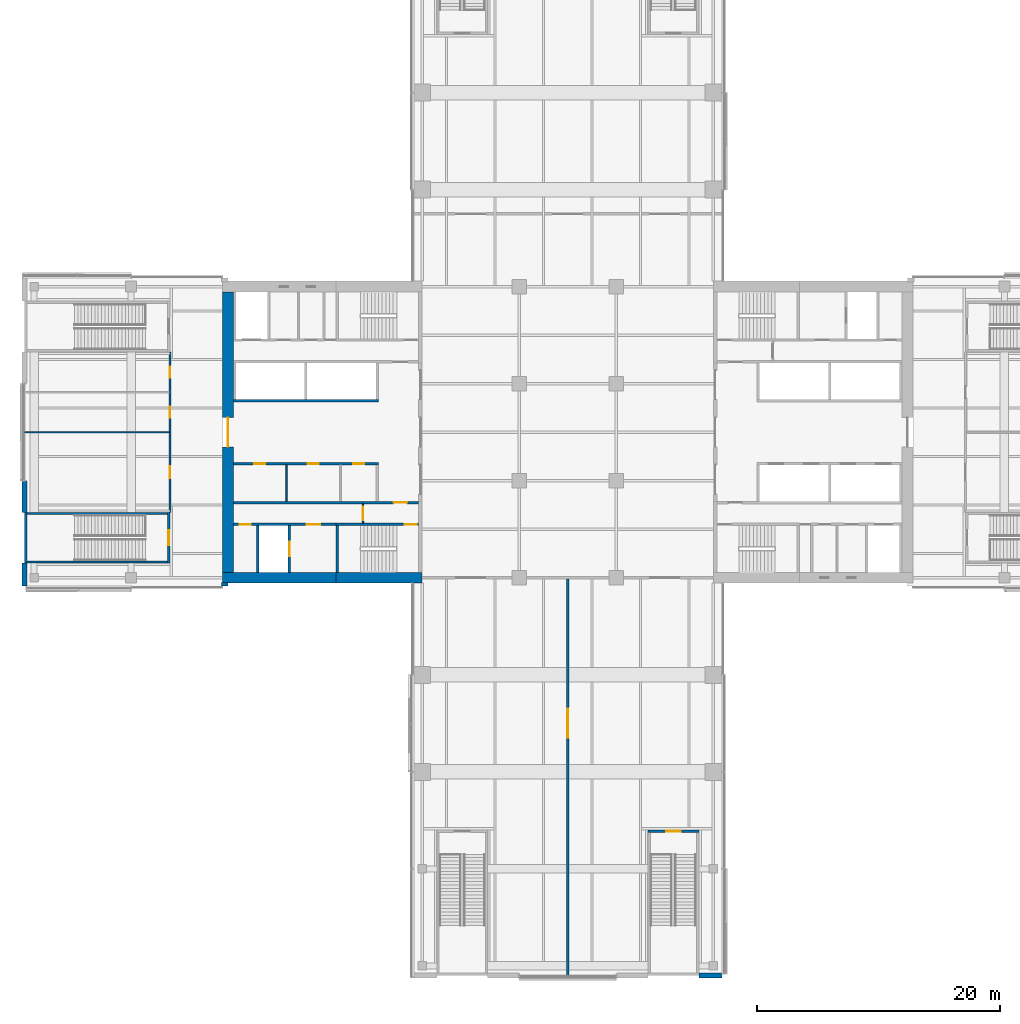
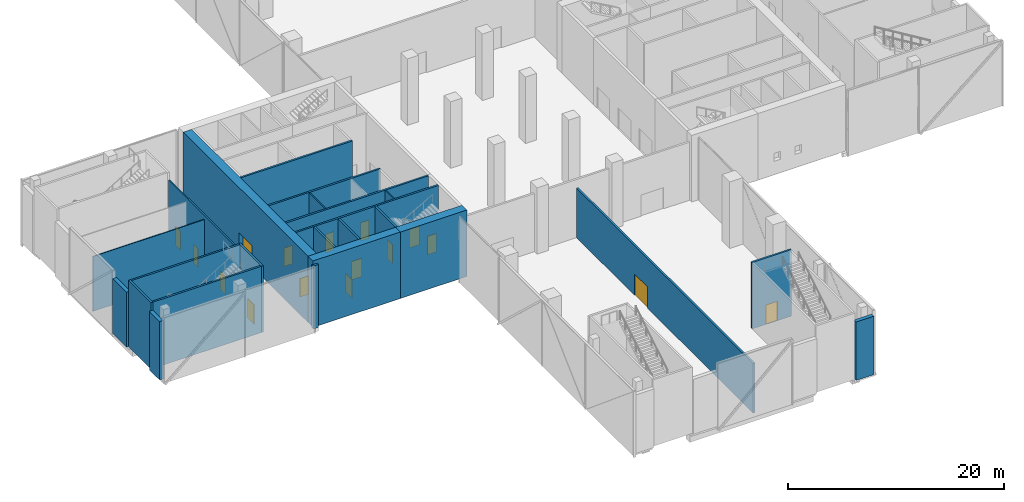
# One storey, part 14 of 25: 25 walls, 16 doors, 16 openings.
"""IFC4 building model written with IfcOpenShell, lengths in metres."""

from ifc_helpers import new_model, si_unit, direction, frame, frame_2d, origin, place, context, subcontext, project, spatial, rectangle, extrude, material, layer, layer_set, constituent, constituent_set, type_object, element, fill, save


model = new_model("IFC4")

# Units and contexts
model_context = context("Model", 3, precision=1e-05, world=origin(), true_north=direction((0.0, 1.0)))
body_context = subcontext(model_context, "Body", "Model", "MODEL_VIEW")
ifc_project = project(units=[si_unit("LENGTHUNIT", "METRE"), si_unit("AREAUNIT", "SQUARE_METRE"), si_unit("VOLUMEUNIT", "CUBIC_METRE"), si_unit("PLANEANGLEUNIT", "RADIAN"), si_unit("MASSUNIT", "GRAM", prefix="KILO")], contexts=[model_context])

# Site, building, storey
site_placement = place(None, origin())
site = spatial("IfcSite", under=ifc_project, at=site_placement, CompositionType="ELEMENT")
building_placement = place(site_placement, origin())
building = spatial("IfcBuilding", under=site, at=building_placement, Name="Crosswind Convention Tower", CompositionType="ELEMENT")
storey_placement = place(building_placement, frame((0.0, 0.0, 34.0)))
storey = spatial("IfcBuildingStorey", under=building, at=storey_placement, Name="L04", CompositionType="ELEMENT", Elevation=34.0)

# Wall, openings, doors
ifc_material_1 = material(Name="Plasterboard partition", Category="gypsum")
ifc_layer_1 = layer(ifc_material_1, 0.14990234375)
ifc_layer_set_1 = layer_set([ifc_layer_1], Name="CORRIDOR WALL 150")
wall_type_1 = type_object("IfcWallType", Name="CORRIDOR WALL 150", PredefinedType="PARTITIONING", material=ifc_layer_set_1)
wall_1_placement = place(storey_placement, frame((92.199951171875, 93.39990234375, 0.0), z_axis=(0.0, 0.0, 1.0), x_axis=(0.0, 1.0, 0.0)))
wall_1 = element("IfcWall", 1, at=wall_1_placement, inside=storey, type_object=wall_type_1, Name="Corridor Wall 29", PredefinedType="PARTITIONING", context=body_context, shape_type="SweptSolid", body=[
    extrude(rectangle(XDim=13.2001953125, YDim=0.14990234375, at=frame_2d((6.60009765625, 0.0))), origin(), (0.0, 0.0, 1.0), 6.636474609375),
])
opening_1_placement = place(wall_1_placement, frame((2.800048828125, 0.0, 0.0)))
opening_1 = element("IfcOpeningElement", 2, at=opening_1_placement, cuts=wall_1, Name="Opening 04.010", PredefinedType="OPENING", context=body_context, shape_type="SweptSolid", body=[
    extrude(rectangle(XDim=1.0, YDim=2.10009765625, at=frame_2d((0.5, 1.050048828125))), frame((0.0, 0.0849609375, 0.0), z_axis=(0.0, -1.0, 0.0), x_axis=(1.0, 0.0, 0.0)), (0.0, 0.0, 1.0), 0.169921875),
])
opening_2_placement = place(wall_1_placement, frame((7.800048828125, 0.0, 0.0)))
opening_2 = element("IfcOpeningElement", 3, at=opening_2_placement, cuts=wall_1, Name="Opening 04.011", PredefinedType="OPENING", context=body_context, shape_type="SweptSolid", body=[
    extrude(rectangle(XDim=0.89990234375, YDim=2.10009765625, at=frame_2d((0.449951171875, 1.050048828125))), frame((0.0, 0.0849609375, 0.0), z_axis=(0.0, -1.0, 0.0), x_axis=(1.0, 0.0, 0.0)), (0.0, 0.0, 1.0), 0.169921875),
])
opening_3_placement = place(wall_1_placement, frame((11.10009765625, 0.0, 0.0)))
opening_3 = element("IfcOpeningElement", 4, at=opening_3_placement, cuts=wall_1, Name="Opening 04.012", PredefinedType="OPENING", context=body_context, shape_type="SweptSolid", body=[
    extrude(rectangle(XDim=0.89990234375, YDim=2.10009765625, at=frame_2d((0.449951171875, 1.050048828125))), frame((0.0, 0.0849609375, 0.0), z_axis=(0.0, -1.0, 0.0), x_axis=(1.0, 0.0, 0.0)), (0.0, 0.0, 1.0), 0.169921875),
])
ifc_material_2 = material(Name="Timber fire door", Category="wood")
door_type_1 = type_object("IfcDoorType", Name="SERVICE ROOM DOOR 1000X2100", OperationType="NOTDEFINED", PredefinedType="DOOR", material=ifc_material_2)
door_1_placement = place(opening_1_placement, origin())
door_1 = element("IfcDoor", 5, at=door_1_placement, inside=storey, type_object=door_type_1, Name="Door 04.010", ObjectType="D3", OperationType="SINGLE_SWING_RIGHT", OverallHeight=2.10009765625, OverallWidth=1.0, PredefinedType="DOOR", context=body_context, shape_type="SweptSolid", body=[
    extrude(rectangle(XDim=1.0, YDim=2.10009765625, at=frame_2d((0.5, 1.050048828125))), frame((0.0, 0.02490234375, 0.0), z_axis=(0.0, -1.0, 0.0), x_axis=(1.0, 0.0, 0.0)), (0.0, 0.0, 1.0), 0.050048828125),
])
fill(opening_1, door_1)
ifc_material_3 = material(Name="Timber door", Category="wood")
door_type_2 = type_object("IfcDoorType", Name="WC DOOR 900X2100", OperationType="NOTDEFINED", PredefinedType="DOOR", material=ifc_material_3)
door_2_placement = place(opening_2_placement, origin())
door_2 = element("IfcDoor", 6, at=door_2_placement, inside=storey, type_object=door_type_2, Name="Door 04.011", ObjectType="D7", OperationType="SINGLE_SWING_RIGHT", OverallHeight=2.10009765625, OverallWidth=0.89990234375, PredefinedType="DOOR", context=body_context, shape_type="SweptSolid", body=[
    extrude(rectangle(XDim=0.89990234375, YDim=2.10009765625, at=frame_2d((0.449951171875, 1.050048828125))), frame((0.0, 0.02490234375, 0.0), z_axis=(0.0, -1.0, 0.0), x_axis=(1.0, 0.0, 0.0)), (0.0, 0.0, 1.0), 0.050048828125),
])
fill(opening_2, door_2)
door_3_placement = place(opening_3_placement, origin())
door_3 = element("IfcDoor", 7, at=door_3_placement, inside=storey, type_object=door_type_2, Name="Door 04.012", ObjectType="D7", OperationType="SINGLE_SWING_RIGHT", OverallHeight=2.10009765625, OverallWidth=0.89990234375, PredefinedType="DOOR", context=body_context, shape_type="SweptSolid", body=[
    extrude(rectangle(XDim=0.89990234375, YDim=2.10009765625, at=frame_2d((0.449951171875, 1.050048828125))), frame((0.0, 0.02490234375, 0.0), z_axis=(0.0, -1.0, 0.0), x_axis=(1.0, 0.0, 0.0)), (0.0, 0.0, 1.0), 0.050048828125),
])
fill(opening_3, door_3)

# Wall, opening, door
ifc_material_4 = material(Name="Concrete C60/75", Category="concrete")
ifc_layer_2 = layer(ifc_material_4, 0.89990234375)
ifc_layer_set_2 = layer_set([ifc_layer_2], Name="Concrete C60/75")
wall_type_2 = type_object("IfcWallType", Name="Concrete core wall 900", PredefinedType="SHEAR", material=ifc_layer_set_2)
wall_2_placement = place(storey_placement, frame((97.0, 111.550048828125, 0.0), z_axis=(0.0, 0.0, 1.0), x_axis=(0.0, -1.0, 0.0)))
wall_2 = element("IfcWall", 8, at=wall_2_placement, inside=storey, type_object=wall_type_2, Name="Wall O W L04", PredefinedType="SHEAR", context=body_context, shape_type="SweptSolid", body=[
    extrude(rectangle(XDim=23.10009765625, YDim=0.89990234375, at=frame_2d((11.550048828125, 0.0))), origin(), (0.0, 0.0, 1.0), 7.5),
])
opening_4_placement = place(wall_2_placement, frame((10.35009765625, 0.0, 0.0)))
opening_4 = element("IfcOpeningElement", 9, at=opening_4_placement, cuts=wall_2, Name="Opening D100", PredefinedType="OPENING", context=body_context, shape_type="SweptSolid", body=[
    extrude(rectangle(XDim=2.39990234375, YDim=2.39990234375, at=frame_2d((1.199951171875, 1.199951171875))), frame((0.0, 0.4599609375, 0.0), z_axis=(0.0, -1.0, 0.0), x_axis=(1.0, 0.0, 0.0)), (0.0, 0.0, 1.0), 0.919921875),
])
ifc_material_5 = material(Name="Steel fire door with glazed vision panels", Category="steel")
door_type_3 = type_object("IfcDoorType", Name="Fire-rated double door 2400x2400", OperationType="DOUBLE_DOOR_SINGLE_SWING", PredefinedType="DOOR", material=ifc_material_5)
door_4_placement = place(opening_4_placement, frame((2.39990234375, 0.0, 0.0), z_axis=(0.0, 0.0, 1.0), x_axis=(-1.0, 0.0, 0.0)))
door_4 = element("IfcDoor", 10, at=door_4_placement, inside=storey, type_object=door_type_3, Name="Lobby outer door L04", ObjectType="D100", OperationType="DOUBLE_DOOR_SINGLE_SWING", OverallHeight=2.39990234375, OverallWidth=2.39990234375, PredefinedType="DOOR", context=body_context, shape_type="SweptSolid", body=[
    extrude(rectangle(XDim=2.39990234375, YDim=2.39990234375, at=frame_2d((1.199951171875, 1.199951171875))), frame((0.0, 0.02490234375, 0.0), z_axis=(0.0, -1.0, 0.0), x_axis=(1.0, 0.0, 0.0)), (0.0, 0.0, 1.0), 0.050048828125),
])
fill(opening_4, door_4)

# Wall, openings, doors
ifc_material_6 = material(Name="Concrete C50/60", Category="concrete")
ifc_layer_3 = layer(ifc_material_6, 0.199951171875)
ifc_layer_set_3 = layer_set([ifc_layer_3], Name="Concrete C50/60")
wall_type_3 = type_object("IfcWallType", Name="Concrete shaft and stair wall 200", PredefinedType="SHEAR", material=ifc_layer_set_3)
wall_3_placement = place(storey_placement, frame((109.39990234375, 97.39990234375, 0.0), z_axis=(0.0, 0.0, 1.0), x_axis=(-1.0, 0.0, 0.0)))
wall_3 = element("IfcWall", 11, at=wall_3_placement, inside=storey, type_object=wall_type_3, Name="Wall RPFRONT W L04", PredefinedType="SHEAR", context=body_context, shape_type="SweptSolid", body=[
    extrude(rectangle(XDim=11.949951171875, YDim=0.199951171875, at=frame_2d((5.97509765625, 0.0))), origin(), (0.0, 0.0, 1.0), 7.5),
])
opening_5_placement = place(wall_3_placement, frame((1.1875, 0.0, 0.0)))
opening_5 = element("IfcOpeningElement", 12, at=opening_5_placement, cuts=wall_3, Name="Opening D106", PredefinedType="OPENING", context=body_context, shape_type="SweptSolid", body=[
    extrude(rectangle(XDim=0.89990234375, YDim=2.10009765625, at=frame_2d((0.449951171875, 1.050048828125))), frame((0.0, 0.10986328125, 0.0), z_axis=(0.0, -1.0, 0.0), x_axis=(1.0, 0.0, 0.0)), (0.0, 0.0, 1.0), 0.219970703125),
])
opening_6_placement = place(wall_3_placement, frame((4.919921875, 0.0, 0.0)))
opening_6 = element("IfcOpeningElement", 13, at=opening_6_placement, cuts=wall_3, Name="Opening D106", PredefinedType="OPENING", context=body_context, shape_type="SweptSolid", body=[
    extrude(rectangle(XDim=0.89990234375, YDim=2.10009765625, at=frame_2d((0.449951171875, 1.050048828125))), frame((0.0, 0.10986328125, 0.0), z_axis=(0.0, -1.0, 0.0), x_axis=(1.0, 0.0, 0.0)), (0.0, 0.0, 1.0), 0.219970703125),
])
opening_7_placement = place(wall_3_placement, frame((9.357421875, 0.0, 0.0)))
opening_7 = element("IfcOpeningElement", 14, at=opening_7_placement, cuts=wall_3, Name="Opening D106", PredefinedType="OPENING", context=body_context, shape_type="SweptSolid", body=[
    extrude(rectangle(XDim=0.89990234375, YDim=2.10009765625, at=frame_2d((0.449951171875, 1.050048828125))), frame((0.0, 0.10986328125, 0.0), z_axis=(0.0, -1.0, 0.0), x_axis=(1.0, 0.0, 0.0)), (0.0, 0.0, 1.0), 0.219970703125),
])
door_type_4 = type_object("IfcDoorType", Name="Single leaf door 900x2100", OperationType="NOTDEFINED", PredefinedType="DOOR", material=ifc_material_3)
door_5_placement = place(opening_5_placement, origin())
door_5 = element("IfcDoor", 15, at=door_5_placement, inside=storey, type_object=door_type_4, Name="Door to cloakroom L04", ObjectType="D106", OperationType="SINGLE_SWING_RIGHT", OverallHeight=2.10009765625, OverallWidth=0.89990234375, PredefinedType="DOOR", context=body_context, shape_type="SweptSolid", body=[
    extrude(rectangle(XDim=0.89990234375, YDim=2.10009765625, at=frame_2d((0.449951171875, 1.050048828125))), frame((0.0, 0.02490234375, 0.0), z_axis=(0.0, -1.0, 0.0), x_axis=(1.0, 0.0, 0.0)), (0.0, 0.0, 1.0), 0.050048828125),
])
fill(opening_5, door_5)
door_6_placement = place(opening_6_placement, origin())
door_6 = element("IfcDoor", 16, at=door_6_placement, inside=storey, type_object=door_type_4, Name="Door to press room L04", ObjectType="D106", OperationType="SINGLE_SWING_RIGHT", OverallHeight=2.10009765625, OverallWidth=0.89990234375, PredefinedType="DOOR", context=body_context, shape_type="SweptSolid", body=[
    extrude(rectangle(XDim=0.89990234375, YDim=2.10009765625, at=frame_2d((0.449951171875, 1.050048828125))), frame((0.0, 0.02490234375, 0.0), z_axis=(0.0, -1.0, 0.0), x_axis=(1.0, 0.0, 0.0)), (0.0, 0.0, 1.0), 0.050048828125),
])
fill(opening_6, door_6)
door_7_placement = place(opening_7_placement, origin())
door_7 = element("IfcDoor", 17, at=door_7_placement, inside=storey, type_object=door_type_4, Name="Door to green room L04", ObjectType="D106", OperationType="SINGLE_SWING_RIGHT", OverallHeight=2.10009765625, OverallWidth=0.89990234375, PredefinedType="DOOR", context=body_context, shape_type="SweptSolid", body=[
    extrude(rectangle(XDim=0.89990234375, YDim=2.10009765625, at=frame_2d((0.449951171875, 1.050048828125))), frame((0.0, 0.02490234375, 0.0), z_axis=(0.0, -1.0, 0.0), x_axis=(1.0, 0.0, 0.0)), (0.0, 0.0, 1.0), 0.050048828125),
])
fill(opening_7, door_7)

# Wall
wall_4_placement = place(storey_placement, frame((109.39990234375, 102.60009765625, 0.0), z_axis=(0.0, 0.0, 1.0), x_axis=(-1.0, 0.0, 0.0)))
element("IfcWall", 18, at=wall_4_placement, inside=storey, type_object=wall_type_3, Name="Wall RMFRONT W L04", PredefinedType="SHEAR", context=body_context, shape_type="SweptSolid", body=[
    extrude(rectangle(XDim=11.949951171875, YDim=0.199951171875, at=frame_2d((5.97509765625, 0.0))), origin(), (0.0, 0.0, 1.0), 7.5),
])

# Wall, opening, door
wall_5_placement = place(storey_placement, frame((112.699951171875, 94.199951171875, 0.0), z_axis=(0.0, 0.0, 1.0), x_axis=(-1.0, 0.0, 0.0)))
wall_5 = element("IfcWall", 19, at=wall_5_placement, inside=storey, type_object=wall_type_3, Name="Wall HP W L04", PredefinedType="SHEAR", context=body_context, shape_type="SweptSolid", body=[
    extrude(rectangle(XDim=15.25, YDim=0.199951171875, at=frame_2d((7.625, 0.0))), origin(), (0.0, 0.0, 1.0), 7.5),
])
opening_8_placement = place(wall_5_placement, frame((0.949951171875, 0.0, 0.0)))
opening_8 = element("IfcOpeningElement", 20, at=opening_8_placement, cuts=wall_5, Name="Opening D104", PredefinedType="OPENING", context=body_context, shape_type="SweptSolid", body=[
    extrude(rectangle(XDim=1.10009765625, YDim=2.10009765625, at=frame_2d((0.550048828125, 1.050048828125))), frame((0.0, 0.10986328125, 0.0), z_axis=(0.0, -1.0, 0.0), x_axis=(1.0, 0.0, 0.0)), (0.0, 0.0, 1.0), 0.219970703125),
])
ifc_material_7 = material(Name="Steel fire door", Category="steel")
door_type_5 = type_object("IfcDoorType", Name="Fire-rated single door 1100x2100", OperationType="NOTDEFINED", PredefinedType="DOOR", material=ifc_material_7)
door_8_placement = place(opening_8_placement, frame((1.10009765625, 0.0, 0.0), z_axis=(0.0, 0.0, 1.0), x_axis=(-1.0, 0.0, 0.0)))
door_8 = element("IfcDoor", 21, at=door_8_placement, inside=storey, type_object=door_type_5, Name="Corridor door L04", ObjectType="D104", OperationType="SINGLE_SWING_RIGHT", OverallHeight=2.10009765625, OverallWidth=1.10009765625, PredefinedType="DOOR", context=body_context, shape_type="SweptSolid", body=[
    extrude(rectangle(XDim=1.10009765625, YDim=2.10009765625, at=frame_2d((0.550048828125, 1.050048828125))), frame((0.0, 0.02490234375, 0.0), z_axis=(0.0, -1.0, 0.0), x_axis=(1.0, 0.0, 0.0)), (0.0, 0.0, 1.0), 0.050048828125),
])
fill(opening_8, door_8)

# Wall
wall_6_placement = place(storey_placement, frame((106.0, 92.300048828125, 0.0), z_axis=(0.0, 0.0, 1.0), x_axis=(0.0, -1.0, 0.0)))
element("IfcWall", 22, at=wall_6_placement, inside=storey, type_object=wall_type_3, Name="Wall PSE W L04", PredefinedType="SHEAR", context=body_context, shape_type="SweptSolid", body=[
    extrude(rectangle(XDim=3.85009765625, YDim=0.199951171875, at=frame_2d((1.925048828125, 0.0))), origin(), (0.0, 0.0, 1.0), 7.5),
])

# Wall, opening, door
wall_7_placement = place(storey_placement, frame((102.050048828125, 92.300048828125, 0.0), z_axis=(0.0, 0.0, 1.0), x_axis=(0.0, -1.0, 0.0)))
wall_7 = element("IfcWall", 23, at=wall_7_placement, inside=storey, type_object=wall_type_3, Name="Wall PFLW W L04", PredefinedType="SHEAR", context=body_context, shape_type="SweptSolid", body=[
    extrude(rectangle(XDim=3.85009765625, YDim=0.199951171875, at=frame_2d((1.925048828125, 0.0))), origin(), (0.0, 0.0, 1.0), 7.5),
])
opening_9_placement = place(wall_7_placement, frame((1.324951171875, 0.0, 0.0)))
opening_9 = element("IfcOpeningElement", 24, at=opening_9_placement, cuts=wall_7, Name="Opening LD1", PredefinedType="OPENING", context=body_context, shape_type="SweptSolid", body=[
    extrude(rectangle(XDim=1.199951171875, YDim=2.10009765625, at=frame_2d((0.60009765625, 1.050048828125))), frame((0.0, 0.10986328125, 0.0), z_axis=(0.0, -1.0, 0.0), x_axis=(1.0, 0.0, 0.0)), (0.0, 0.0, 1.0), 0.219970703125),
])
ifc_material_8 = material(Name="Stainless steel", Category="steel")
door_type_6 = type_object("IfcDoorType", Name="Lift landing door 1200x2100", OperationType="DOUBLE_DOOR_SLIDING", PredefinedType="DOOR", material=ifc_material_8)
door_9_placement = place(opening_9_placement, origin())
door_9 = element("IfcDoor", 25, at=door_9_placement, inside=storey, type_object=door_type_6, Name="Landing door FF2 L04", ObjectType="LD1", OperationType="DOUBLE_DOOR_SLIDING", OverallHeight=2.10009765625, OverallWidth=1.199951171875, PredefinedType="DOOR", context=body_context, shape_type="SweptSolid", body=[
    extrude(rectangle(XDim=1.199951171875, YDim=2.10009765625, at=frame_2d((0.60009765625, 1.050048828125))), frame((0.0, 0.02490234375, 0.0), z_axis=(0.0, -1.0, 0.0), x_axis=(1.0, 0.0, 0.0)), (0.0, 0.0, 1.0), 0.050048828125),
])
fill(opening_9, door_9)

# Wall
wall_8_placement = place(storey_placement, frame((99.449951171875, 92.300048828125, 0.0), z_axis=(0.0, 0.0, 1.0), x_axis=(0.0, -1.0, 0.0)))
element("IfcWall", 26, at=wall_8_placement, inside=storey, type_object=wall_type_3, Name="Wall PFSE W L04", PredefinedType="SHEAR", context=body_context, shape_type="SweptSolid", body=[
    extrude(rectangle(XDim=3.85009765625, YDim=0.199951171875, at=frame_2d((1.925048828125, 0.0))), origin(), (0.0, 0.0, 1.0), 7.5),
])

# Wall, opening, door
wall_9_placement = place(storey_placement, frame((112.699951171875, 92.39990234375, 0.0), z_axis=(0.0, 0.0, 1.0), x_axis=(-1.0, 0.0, 0.0)))
wall_9 = element("IfcWall", 27, at=wall_9_placement, inside=storey, type_object=wall_type_3, Name="Wall PCW W L04", PredefinedType="SHEAR", context=body_context, shape_type="SweptSolid", body=[
    extrude(rectangle(XDim=6.800048828125, YDim=0.199951171875, at=frame_2d((3.39990234375, 0.0))), origin(), (0.0, 0.0, 1.0), 7.5),
])
opening_10_placement = place(wall_9_placement, frame((0.14990234375, 0.0, 0.0)))
opening_10 = element("IfcOpeningElement", 28, at=opening_10_placement, cuts=wall_9, Name="Opening D103", PredefinedType="OPENING", context=body_context, shape_type="SweptSolid", body=[
    extrude(rectangle(XDim=1.0, YDim=2.10009765625, at=frame_2d((0.5, 1.050048828125))), frame((0.0, 0.10986328125, 0.0), z_axis=(0.0, -1.0, 0.0), x_axis=(1.0, 0.0, 0.0)), (0.0, 0.0, 1.0), 0.219970703125),
])
door_type_7 = type_object("IfcDoorType", Name="Fire-rated single door 1000x2100", OperationType="NOTDEFINED", PredefinedType="DOOR", material=ifc_material_7)
door_10_placement = place(opening_10_placement, origin())
door_10 = element("IfcDoor", 29, at=door_10_placement, inside=storey, type_object=door_type_7, Name="Stair ST3 door L04", ObjectType="D103", OperationType="SINGLE_SWING_LEFT", OverallHeight=2.10009765625, OverallWidth=1.0, PredefinedType="DOOR", context=body_context, shape_type="SweptSolid", body=[
    extrude(rectangle(XDim=1.0, YDim=2.10009765625, at=frame_2d((0.5, 1.050048828125))), frame((0.0, 0.02490234375, 0.0), z_axis=(0.0, -1.0, 0.0), x_axis=(1.0, 0.0, 0.0)), (0.0, 0.0, 1.0), 0.050048828125),
])
fill(opening_10, door_10)

# Wall, openings, doors
wall_10_placement = place(storey_placement, frame((105.89990234375, 92.39990234375, 0.0), z_axis=(0.0, 0.0, 1.0), x_axis=(-1.0, 0.0, 0.0)))
wall_10 = element("IfcWall", 30, at=wall_10_placement, inside=storey, type_object=wall_type_3, Name="Wall PCX W L04", PredefinedType="SHEAR", context=body_context, shape_type="SweptSolid", body=[
    extrude(rectangle(XDim=8.449951171875, YDim=0.199951171875, at=frame_2d((4.22509765625, 0.0))), origin(), (0.0, 0.0, 1.0), 7.5),
])
opening_11_placement = place(wall_10_placement, frame((1.324951171875, 0.0, 0.0)))
opening_11 = element("IfcOpeningElement", 31, at=opening_11_placement, cuts=wall_10, Name="Opening D104", PredefinedType="OPENING", context=body_context, shape_type="SweptSolid", body=[
    extrude(rectangle(XDim=1.10009765625, YDim=2.10009765625, at=frame_2d((0.550048828125, 1.050048828125))), frame((0.0, 0.10986328125, 0.0), z_axis=(0.0, -1.0, 0.0), x_axis=(1.0, 0.0, 0.0)), (0.0, 0.0, 1.0), 0.219970703125),
])
opening_12_placement = place(wall_10_placement, frame((7.050048828125, 0.0, 0.0)))
opening_12 = element("IfcOpeningElement", 32, at=opening_12_placement, cuts=wall_10, Name="Opening D106", PredefinedType="OPENING", context=body_context, shape_type="SweptSolid", body=[
    extrude(rectangle(XDim=0.89990234375, YDim=2.10009765625, at=frame_2d((0.449951171875, 1.050048828125))), frame((0.0, 0.10986328125, 0.0), z_axis=(0.0, -1.0, 0.0), x_axis=(1.0, 0.0, 0.0)), (0.0, 0.0, 1.0), 0.219970703125),
])
door_11_placement = place(opening_11_placement, frame((1.10009765625, 0.0, 0.0), z_axis=(0.0, 0.0, 1.0), x_axis=(-1.0, 0.0, 0.0)))
door_11 = element("IfcDoor", 33, at=door_11_placement, inside=storey, type_object=door_type_5, Name="Fire-fighting lobby FF2 door L04", ObjectType="D104", OperationType="SINGLE_SWING_RIGHT", OverallHeight=2.10009765625, OverallWidth=1.10009765625, PredefinedType="DOOR", context=body_context, shape_type="SweptSolid", body=[
    extrude(rectangle(XDim=1.10009765625, YDim=2.10009765625, at=frame_2d((0.550048828125, 1.050048828125))), frame((0.0, 0.02490234375, 0.0), z_axis=(0.0, -1.0, 0.0), x_axis=(1.0, 0.0, 0.0)), (0.0, 0.0, 1.0), 0.050048828125),
])
fill(opening_11, door_11)
door_12_placement = place(opening_12_placement, origin())
door_12 = element("IfcDoor", 34, at=door_12_placement, inside=storey, type_object=door_type_4, Name="Door to cleaners' store L04", ObjectType="D106", OperationType="SINGLE_SWING_RIGHT", OverallHeight=2.10009765625, OverallWidth=0.89990234375, PredefinedType="DOOR", context=body_context, shape_type="SweptSolid", body=[
    extrude(rectangle(XDim=0.89990234375, YDim=2.10009765625, at=frame_2d((0.449951171875, 1.050048828125))), frame((0.0, 0.02490234375, 0.0), z_axis=(0.0, -1.0, 0.0), x_axis=(1.0, 0.0, 0.0)), (0.0, 0.0, 1.0), 0.050048828125),
])
fill(opening_12, door_12)

# Wall
ifc_material_9 = material(Name="Gypsum plasterboard partition", Category="gypsum")
ifc_layer_4 = layer(ifc_material_9, 0.125)
ifc_layer_set_4 = layer_set([ifc_layer_4], Name="Drywall partition wall 125")
wall_type_4 = type_object("IfcWallType", Name="Drywall partition wall 125", PredefinedType="PARTITIONING", material=ifc_layer_set_4)
wall_11_placement = place(storey_placement, frame((101.797607421875, 97.300048828125, 0.0), z_axis=(0.0, 0.0, 1.0), x_axis=(0.0, -1.0, 0.0)))
element("IfcWall", 35, at=wall_11_placement, inside=storey, type_object=wall_type_4, Name="Wall RPP2 W L04", PredefinedType="PARTITIONING", context=body_context, shape_type="SweptSolid", body=[
    extrude(rectangle(XDim=3.0, YDim=0.125, at=frame_2d((1.5, 0.0))), origin(), (0.0, 0.0, 1.0), 7.5),
])

# Wall, opening, door
wall_12_placement = place(storey_placement, frame((108.10009765625, 94.10009765625, 0.0), z_axis=(0.0, 0.0, 1.0), x_axis=(0.0, -1.0, 0.0)))
wall_12 = element("IfcWall", 36, at=wall_12_placement, inside=storey, type_object=wall_type_4, Name="Wall PXC1 W L04", PredefinedType="PARTITIONING", context=body_context, shape_type="SweptSolid", body=[
    extrude(rectangle(XDim=1.60009765625, YDim=0.125, at=frame_2d((0.800048828125, 0.0))), origin(), (0.0, 0.0, 1.0), 7.5),
])
opening_13_placement = place(wall_12_placement, frame((0.25, 0.0, 0.0)))
opening_13 = element("IfcOpeningElement", 37, at=opening_13_placement, cuts=wall_12, Name="Opening D104", PredefinedType="OPENING", context=body_context, shape_type="SweptSolid", body=[
    extrude(rectangle(XDim=1.10009765625, YDim=2.10009765625, at=frame_2d((0.550048828125, 1.050048828125))), frame((0.0, 0.072509765625, 0.0), z_axis=(0.0, -1.0, 0.0), x_axis=(1.0, 0.0, 0.0)), (0.0, 0.0, 1.0), 0.14501953125),
])
door_13_placement = place(opening_13_placement, frame((1.10009765625, 0.0, 0.0), z_axis=(0.0, 0.0, 1.0), x_axis=(-1.0, 0.0, 0.0)))
door_13 = element("IfcDoor", 38, at=door_13_placement, inside=storey, type_object=door_type_5, Name="Corridor smoke door L04", ObjectType="D104", OperationType="SINGLE_SWING_LEFT", OverallHeight=2.10009765625, OverallWidth=1.10009765625, PredefinedType="DOOR", context=body_context, shape_type="SweptSolid", body=[
    extrude(rectangle(XDim=1.10009765625, YDim=2.10009765625, at=frame_2d((0.550048828125, 1.050048828125))), frame((0.0, 0.02490234375, 0.0), z_axis=(0.0, -1.0, 0.0), x_axis=(1.0, 0.0, 0.0)), (0.0, 0.0, 1.0), 0.050048828125),
])
fill(opening_13, door_13)

ifc_material_10 = material(Name="Double plasterboard partition", Category="gypsum")
ifc_layer_5 = layer(ifc_material_10, 0.199951171875)
ifc_layer_set_5 = layer_set([ifc_layer_5], Name="HALL WALL 200")
wall_type_5 = type_object("IfcWallType", Name="HALL WALL 200", PredefinedType="PARTITIONING", material=ifc_layer_set_5)
wall_13_placement = place(storey_placement, frame((125.0, 55.199951171875, 0.0), z_axis=(0.0, 0.0, 1.0), x_axis=(0.0, 1.0, 0.0)))
wall_13 = element("IfcWall", 39, at=wall_13_placement, inside=storey, type_object=wall_type_5, Name="Hall Wall 34", PredefinedType="PARTITIONING", context=body_context, shape_type="SweptSolid", body=[
    extrude(rectangle(XDim=32.699951171875, YDim=0.199951171875, at=frame_2d((16.35009765625, 0.0))), origin(), (0.0, 0.0, 1.0), 5.60009765625),
])
opening_14_placement = place(wall_13_placement, frame((19.60009765625, 0.0, 0.0)))
opening_14 = element("IfcOpeningElement", 40, at=opening_14_placement, cuts=wall_13, Name="Opening 04.007", PredefinedType="OPENING", context=body_context, shape_type="SweptSolid", body=[
    extrude(rectangle(XDim=2.39990234375, YDim=2.39990234375, at=frame_2d((1.199951171875, 1.199951171875))), frame((0.0, 0.10986328125, 0.0), z_axis=(0.0, -1.0, 0.0), x_axis=(1.0, 0.0, 0.0)), (0.0, 0.0, 1.0), 0.219970703125),
])
door_type_8 = type_object("IfcDoorType", Name="BALLROOM DOUBLE DOOR 2400X2400", OperationType="DOUBLE_DOOR_SINGLE_SWING", PredefinedType="DOOR", material=ifc_material_2)
door_14_placement = place(opening_14_placement, frame((2.39990234375, 0.0, 0.0), z_axis=(0.0, 0.0, 1.0), x_axis=(-1.0, 0.0, 0.0)))
door_14 = element("IfcDoor", 41, at=door_14_placement, inside=storey, type_object=door_type_8, Name="Door 04.007", ObjectType="D8", OperationType="DOUBLE_DOOR_SINGLE_SWING", OverallHeight=2.39990234375, OverallWidth=2.39990234375, PredefinedType="DOOR", context=body_context, shape_type="SweptSolid", body=[
    extrude(rectangle(XDim=2.39990234375, YDim=2.39990234375, at=frame_2d((1.199951171875, 1.199951171875))), frame((0.0, 0.02490234375, 0.0), z_axis=(0.0, -1.0, 0.0), x_axis=(1.0, 0.0, 0.0)), (0.0, 0.0, 1.0), 0.050048828125),
])
fill(opening_14, door_14)

# Wall
ifc_layer_6 = layer(ifc_material_1, 0.10009765625)
ifc_layer_set_6 = layer_set([ifc_layer_6], Name="PARTITION 100")
wall_type_6 = type_object("IfcWallType", Name="PARTITION 100", PredefinedType="PARTITIONING", material=ifc_layer_set_6)
wall_14_placement = place(storey_placement, frame((80.199951171875, 100.0, 0.0), z_axis=(0.0, 0.0, 1.0), x_axis=(1.0, 0.0, 0.0)))
element("IfcWall", 42, at=wall_14_placement, inside=storey, type_object=wall_type_6, Name="Partition 12", PredefinedType="PARTITIONING", context=body_context, shape_type="SweptSolid", body=[
    extrude(rectangle(XDim=11.925048828125, YDim=0.10009765625, at=frame_2d((5.96240234375, 0.0))), origin(), (0.0, 0.0, 1.0), 6.199951171875),
])

# Wall, opening, door
ifc_material_11 = material(Name="Concrete C40/50", Category="concrete")
ifc_layer_7 = layer(ifc_material_11, 0.199951171875)
ifc_layer_set_7 = layer_set([ifc_layer_7], Name="Concrete C40/50")
wall_type_7 = type_object("IfcWallType", Name="STAIR ENCLOSURE WALL 200", PredefinedType="SOLIDWALL", material=ifc_layer_set_7)
wall_15_placement = place(storey_placement, frame((131.60009765625, 67.10009765625, 0.0), z_axis=(0.0, 0.0, 1.0), x_axis=(1.0, 0.0, 0.0)))
wall_15 = element("IfcWall", 43, at=wall_15_placement, inside=storey, type_object=wall_type_7, Name="Stair Enclosure Wall 4", PredefinedType="SOLIDWALL", context=body_context, shape_type="SweptSolid", body=[
    extrude(rectangle(XDim=4.199951171875, YDim=0.199951171875, at=frame_2d((2.10009765625, 0.0))), origin(), (0.0, 0.0, 1.0), 7.5),
])
opening_15_placement = place(wall_15_placement, frame((1.5, 0.0, 0.0)))
opening_15 = element("IfcOpeningElement", 44, at=opening_15_placement, cuts=wall_15, Name="Opening 04.018", PredefinedType="OPENING", context=body_context, shape_type="SweptSolid", body=[
    extrude(rectangle(XDim=1.199951171875, YDim=2.199951171875, at=frame_2d((0.60009765625, 1.10009765625))), frame((0.0, 0.10986328125, 0.0), z_axis=(0.0, -1.0, 0.0), x_axis=(1.0, 0.0, 0.0)), (0.0, 0.0, 1.0), 0.219970703125),
])
door_type_9 = type_object("IfcDoorType", Name="STAIR DOOR 1200X2200", OperationType="NOTDEFINED", PredefinedType="DOOR", material=ifc_material_7)
door_15_placement = place(opening_15_placement, frame((1.199951171875, 0.0, 0.0), z_axis=(0.0, 0.0, 1.0), x_axis=(-1.0, 0.0, 0.0)))
door_15 = element("IfcDoor", 45, at=door_15_placement, inside=storey, type_object=door_type_9, Name="Door 04.018", ObjectType="D4", OperationType="SINGLE_SWING_LEFT", OverallHeight=2.199951171875, OverallWidth=1.199951171875, PredefinedType="DOOR", context=body_context, shape_type="SweptSolid", body=[
    extrude(rectangle(XDim=1.199951171875, YDim=2.199951171875, at=frame_2d((0.60009765625, 1.10009765625))), frame((0.0, 0.02490234375, 0.0), z_axis=(0.0, -1.0, 0.0), x_axis=(1.0, 0.0, 0.0)), (0.0, 0.0, 1.0), 0.050048828125),
])
fill(opening_15, door_15)

# Walls
for number, where, z_axis, x_axis, name in (
    (46, (80.39990234375, 89.300048828125, 0.0), (0.0, 0.0, 1.0), (1.0, 0.0, 0.0), "Stair Enclosure Wall 8"),
    (47, (80.39990234375, 93.300048828125, 0.0), (0.0, 0.0, 1.0), (1.0, 0.0, 0.0), "Stair Enclosure Wall 10"),
):
    element("IfcWall", number, at=place(storey_placement, frame(where, z_axis=z_axis, x_axis=x_axis)), inside=storey, type_object=wall_type_7, Name=name, PredefinedType="SOLIDWALL", context=body_context, shape_type="SweptSolid", body=[
        extrude(rectangle(XDim=11.60009765625, YDim=0.199951171875, at=frame_2d((5.800048828125, 0.0))), origin(), (0.0, 0.0, 1.0), 7.5),
    ])
wall_16_placement = place(storey_placement, frame((80.300048828125, 89.199951171875, 0.0), z_axis=(0.0, 0.0, 1.0), x_axis=(0.0, 1.0, 0.0)))
element("IfcWall", 48, at=wall_16_placement, inside=storey, type_object=wall_type_7, Name="Stair Enclosure Wall 25", PredefinedType="SOLIDWALL", context=body_context, shape_type="SweptSolid", body=[
    extrude(rectangle(XDim=4.199951171875, YDim=0.199951171875, at=frame_2d((2.10009765625, 0.0))), origin(), (0.0, 0.0, 1.0), 7.5),
])

# Wall, opening, door
wall_17_placement = place(storey_placement, frame((92.10009765625, 89.199951171875, 0.0), z_axis=(0.0, 0.0, 1.0), x_axis=(0.0, 1.0, 0.0)))
wall_17 = element("IfcWall", 49, at=wall_17_placement, inside=storey, type_object=wall_type_7, Name="Stair Enclosure Wall 27", PredefinedType="SOLIDWALL", context=body_context, shape_type="SweptSolid", body=[
    extrude(rectangle(XDim=4.199951171875, YDim=0.199951171875, at=frame_2d((2.10009765625, 0.0))), origin(), (0.0, 0.0, 1.0), 7.5),
])
opening_16_placement = place(wall_17_placement, frame((1.5, 0.0, 0.0)))
opening_16 = element("IfcOpeningElement", 50, at=opening_16_placement, cuts=wall_17, Name="Opening 04.019", PredefinedType="OPENING", context=body_context, shape_type="SweptSolid", body=[
    extrude(rectangle(XDim=1.199951171875, YDim=2.199951171875, at=frame_2d((0.60009765625, 1.10009765625))), frame((0.0, 0.10986328125, 0.0), z_axis=(0.0, -1.0, 0.0), x_axis=(1.0, 0.0, 0.0)), (0.0, 0.0, 1.0), 0.219970703125),
])
door_16_placement = place(opening_16_placement, origin())
door_16 = element("IfcDoor", 51, at=door_16_placement, inside=storey, type_object=door_type_9, Name="Door 04.019", ObjectType="D4", OperationType="SINGLE_SWING_RIGHT", OverallHeight=2.199951171875, OverallWidth=1.199951171875, PredefinedType="DOOR", context=body_context, shape_type="SweptSolid", body=[
    extrude(rectangle(XDim=1.199951171875, YDim=2.199951171875, at=frame_2d((0.60009765625, 1.10009765625))), frame((0.0, 0.02490234375, 0.0), z_axis=(0.0, -1.0, 0.0), x_axis=(1.0, 0.0, 0.0)), (0.0, 0.0, 1.0), 0.050048828125),
])
fill(opening_16, door_16)

# Walls
ifc_material_12 = material(Name="Terracotta rainscreen", Category="ceramic")
ifc_layer_8 = layer(ifc_material_12, 0.02001953125)
ifc_material_13 = material(Name="Mineral wool insulation", Category="insulation")
ifc_layer_9 = layer(ifc_material_13, 0.10009765625)
ifc_material_14 = material(Name="Concrete blockwork", Category="masonry")
ifc_layer_10 = layer(ifc_material_14, 0.18603515625)
ifc_layer_set_8 = layer_set([ifc_layer_8, ifc_layer_9, ifc_layer_10], Name="TERRACOTTA CORNER INFILL WALL 306")
wall_type_8 = type_object("IfcWallType", Name="TERRACOTTA CORNER INFILL WALL 306", PredefinedType="SOLIDWALL", material=ifc_layer_set_8)
wall_18_placement = place(storey_placement, frame((96.445068359375, 87.452880859375, 0.0), z_axis=(0.0, 0.0, 1.0), x_axis=(1.0, 0.0, 0.0)))
element("IfcWall", 52, at=wall_18_placement, inside=storey, type_object=wall_type_8, Name="Core corner infill wall L04 3", PredefinedType="SOLIDWALL", context=body_context, shape_type="SweptSolid", body=[
    extrude(rectangle(XDim=0.554931640625, YDim=0.305908203125, at=frame_2d((0.27734375, 0.0))), origin(), (0.0, 0.0, 1.0), 7.10009765625),
])
ifc_layer_11 = layer(ifc_material_12, 0.02001953125)
ifc_layer_12 = layer(ifc_material_13, 0.10009765625)
ifc_layer_13 = layer(ifc_material_14, 0.280029296875)
ifc_layer_set_9 = layer_set([ifc_layer_11, ifc_layer_12, ifc_layer_13], Name="TERRACOTTA INFILL WALL 400")
wall_type_9 = type_object("IfcWallType", Name="TERRACOTTA INFILL WALL 400", PredefinedType="SOLIDWALL", material=ifc_layer_set_9)
wall_19_placement = place(storey_placement, frame((80.215087890625, 95.9599609375, 0.0), z_axis=(0.0, 0.0, 1.0), x_axis=(0.0, -1.0, 0.0)))
element("IfcWall", 53, at=wall_19_placement, inside=storey, type_object=wall_type_9, Name="Stair enclosure side wall L04 W-TIP.1-3.1", PredefinedType="SOLIDWALL", context=body_context, shape_type="SweptSolid", body=[
    extrude(rectangle(XDim=2.56005859375, YDim=0.39990234375, at=frame_2d((1.280029296875, 0.0))), origin(), (0.0, 0.0, 1.0), 6.199951171875),
])
for number, where, z_axis, x_axis, name in (
    (54, (80.215087890625, 89.199951171875, 0.0), (0.0, 0.0, 1.0), (0.0, -1.0, 0.0), "Stair enclosure side wall L04 W-TIP.1-3.2"),
    (55, (135.800048828125, 55.215087890625, 0.0), (0.0, 0.0, 1.0), (1.0, 0.0, 0.0), "Stair enclosure side wall L04 S-TIP.1-3.2"),
):
    element("IfcWall", number, at=place(storey_placement, frame(where, z_axis=z_axis, x_axis=x_axis)), inside=storey, type_object=wall_type_9, Name=name, PredefinedType="SOLIDWALL", context=body_context, shape_type="SweptSolid", body=[
        extrude(rectangle(XDim=1.89990234375, YDim=0.39990234375, at=frame_2d((0.949951171875, 0.0))), origin(), (0.0, 0.0, 1.0), 6.60009765625),
    ])
ifc_constituent_1 = constituent(ifc_material_4, Name="Structure")
ifc_constituent_2 = constituent(ifc_material_12, Name="Facing")
ifc_constituent_set = constituent_set(constituents=[ifc_constituent_1, ifc_constituent_2], Name="Concrete C60/75, Terracotta rainscreen")
wall_type_10 = type_object("IfcWallType", Name="Terracotta rainscreen on concrete core wall 900", PredefinedType="SHEAR", material=ifc_constituent_set)
wall_20_placement = place(storey_placement, frame((113.0, 88.0, 0.0), z_axis=(0.0, 0.0, 1.0), x_axis=(-1.0, 0.0, 0.0)))
element("IfcWall", 56, at=wall_20_placement, inside=storey, type_object=wall_type_10, Name="Wall N1 W L04", PredefinedType="SHEAR", context=body_context, shape_type="SweptSolid", body=[
    extrude(rectangle(XDim=7.10009765625, YDim=0.89990234375, at=frame_2d((3.550048828125, 0.0))), origin(), (0.0, 0.0, 1.0), 7.5),
])
wall_21_placement = place(storey_placement, frame((105.89990234375, 88.0, 0.0), z_axis=(0.0, 0.0, 1.0), x_axis=(-1.0, 0.0, 0.0)))
element("IfcWall", 57, at=wall_21_placement, inside=storey, type_object=wall_type_10, Name="Wall N2 W L04", PredefinedType="SHEAR", context=body_context, shape_type="SweptSolid", body=[
    extrude(rectangle(XDim=9.349853515625, YDim=0.89990234375, at=frame_2d((4.6748046875, 0.0))), origin(), (0.0, 0.0, 1.0), 7.5),
])

save(model, "model.ifc")
